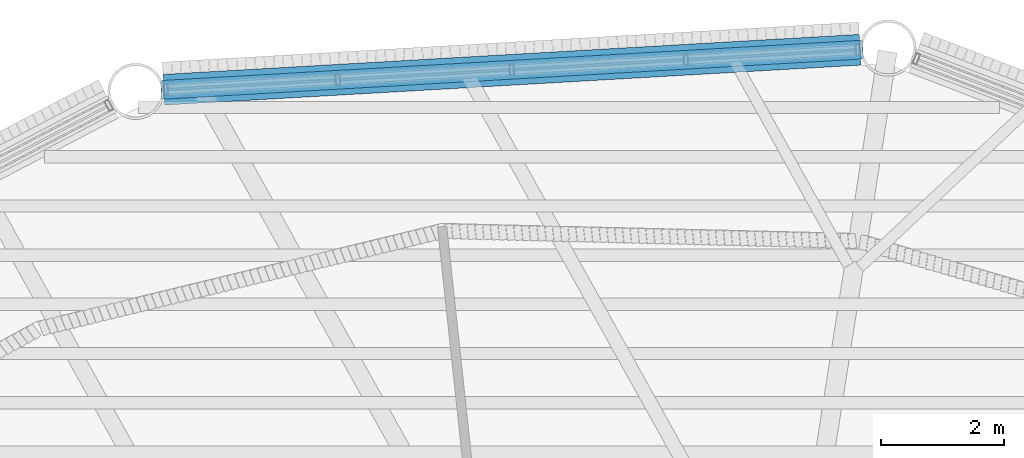
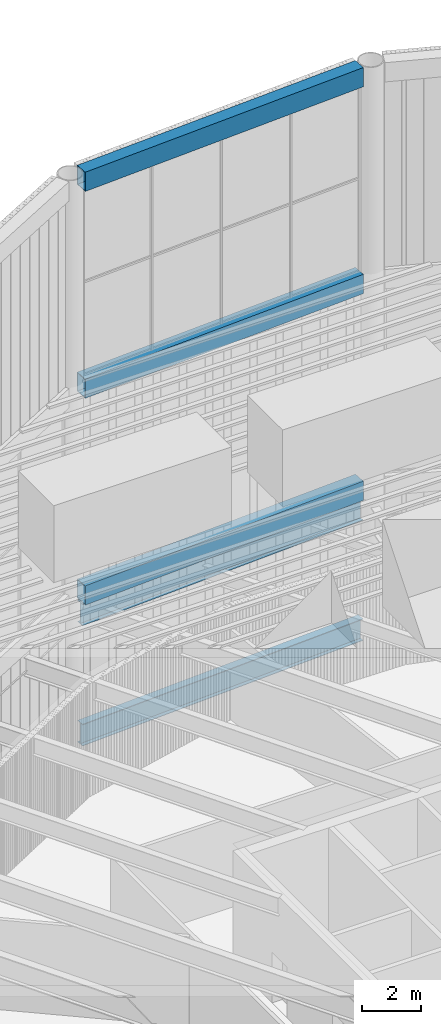
# One storey, part 54 of 117: 5 beams.
"""IFC4 building model written with IfcOpenShell, lengths in metres."""

from ifc_helpers import new_model, si_unit, direction, frame, origin, origin_2d, place, context, subcontext, project, spatial, hollow_rectangle, i_section, extrude, material, material_profile, profile_set, type_object, element, save


model = new_model("IFC4")

# Units and contexts
model_context = context("Model", 3, precision=1e-05, world=origin(), true_north=direction((0.0, 1.0)))
body_context = subcontext(model_context, "Body", "Model", "MODEL_VIEW")
ifc_project = project(units=[si_unit("LENGTHUNIT", "METRE"), si_unit("AREAUNIT", "SQUARE_METRE"), si_unit("VOLUMEUNIT", "CUBIC_METRE"), si_unit("PLANEANGLEUNIT", "RADIAN"), si_unit("MASSUNIT", "GRAM", prefix="KILO")], contexts=[model_context])

# Site, building, storey
site_placement = place(None, origin())
site = spatial("IfcSite", under=ifc_project, at=site_placement, CompositionType="ELEMENT")
building_placement = place(site_placement, origin())
building = spatial("IfcBuilding", under=site, at=building_placement, Name="Tarsis Ring Headquarters", CompositionType="ELEMENT")
storey_placement = place(building_placement, frame((0.0, 0.0, 403.60009765625)))
storey = spatial("IfcBuildingStorey", under=building, at=storey_placement, Name="L95", CompositionType="ELEMENT", Elevation=403.60009765625)

# Beams
ifc_material = material(Name="Structural steel S355", Category="steel")
ifc_material_profile_1 = material_profile(ifc_material, hollow_rectangle(XDim=0.5, YDim=0.800048828125, WallThickness=0.030029296875, at=origin_2d()), Name="RHS 800x500x30")
ifc_profile_set_1 = profile_set([ifc_material_profile_1], Name="Structural steel S355")
beam_type_1 = type_object("IfcBeamType", Name="Crown frame ring beam RHS 800x500x30", PredefinedType="BEAM", material=ifc_profile_set_1)
for number, where, z_axis, x_axis, name in (
    (1, (4.02783203125, 28.674072265625, 5.39990234375), (-0.998351188243, -0.057401262468, 0.0), (0.057401262468, -0.998351188243, 0.0), "Crown frame ring beam R10"),
    (2, (4.02783203125, 28.674072265625, 14.0), (-0.998351188243, -0.057401262468, 0.0), (0.057401262468, -0.998351188243, 0.0), "Crown frame ring beam M10"),
    (3, (4.02783203125, 28.674072265625, 22.599853515625), (-0.998351188243, -0.057401262468, 0.0), (0.057401262468, -0.998351188243, 0.0), "Crown frame ring beam T10"),
):
    element("IfcBeam", number, at=place(storey_placement, frame(where, z_axis=z_axis, x_axis=x_axis)), inside=storey, type_object=beam_type_1, Name=name, PredefinedType="BEAM", context=body_context, shape_type="SweptSolid", body=[
        extrude(hollow_rectangle(XDim=0.5, YDim=0.800048828125, WallThickness=0.030029296875, at=origin_2d()), origin(), (0.0, 0.0, 1.0), 11.3349609375),
    ])
ifc_material_profile_2 = material_profile(ifc_material, i_section(OverallWidth=0.3046875, OverallDepth=0.904296875, WebThickness=0.01513671875, FlangeThickness=0.02001953125, at=origin_2d()), Name="W36x135")
ifc_profile_set_2 = profile_set([ifc_material_profile_2], Name="Structural steel S355")
beam_type_2 = type_object("IfcBeamType", Name="XG Ring girder W36x135", PredefinedType="BEAM", material=ifc_profile_set_2)
for number, where, z_axis, x_axis, name in (
    (4, (4.0732421875, 28.6767578125, -0.4521484375), (-0.998350439423, -0.057414284843, 0.0), (0.057414284843, -0.998350439423, 0.0), "Ring girder XG5"),
    (5, (4.0732421875, 28.6767578125, 4.5478515625), (-0.998350439423, -0.057414284843, 0.0), (0.057414284843, -0.998350439423, 0.0), "Ring girder XG5"),
):
    element("IfcBeam", number, at=place(storey_placement, frame(where, z_axis=z_axis, x_axis=x_axis)), inside=storey, type_object=beam_type_2, Name=name, PredefinedType="BEAM", context=body_context, shape_type="SweptSolid", body=[
        extrude(i_section(OverallWidth=0.3046875, OverallDepth=0.904296875, WebThickness=0.01513671875, FlangeThickness=0.02001953125, at=origin_2d()), origin(), (0.0, 0.0, 1.0), 11.42578125),
    ])

save(model, "model.ifc")
